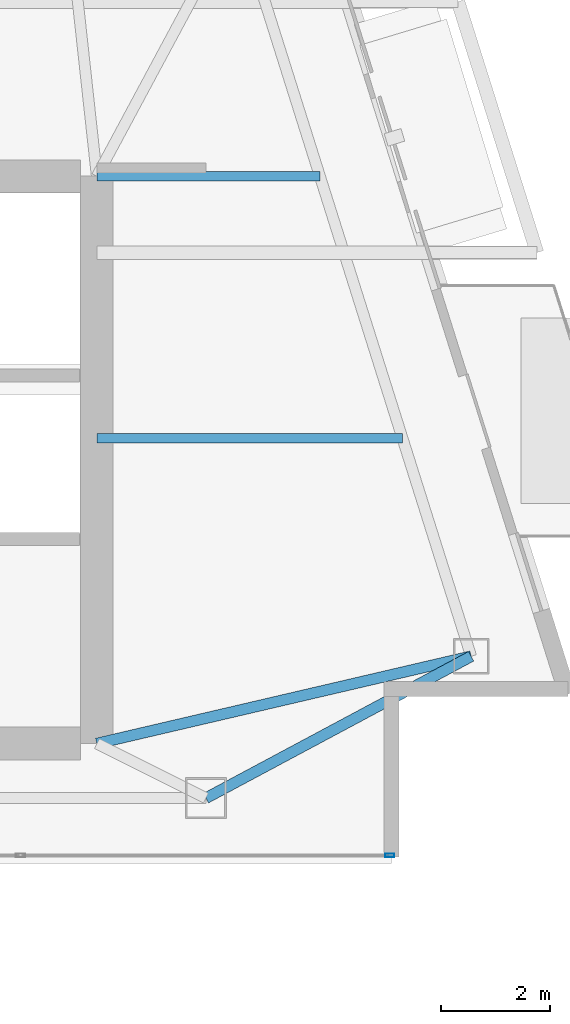
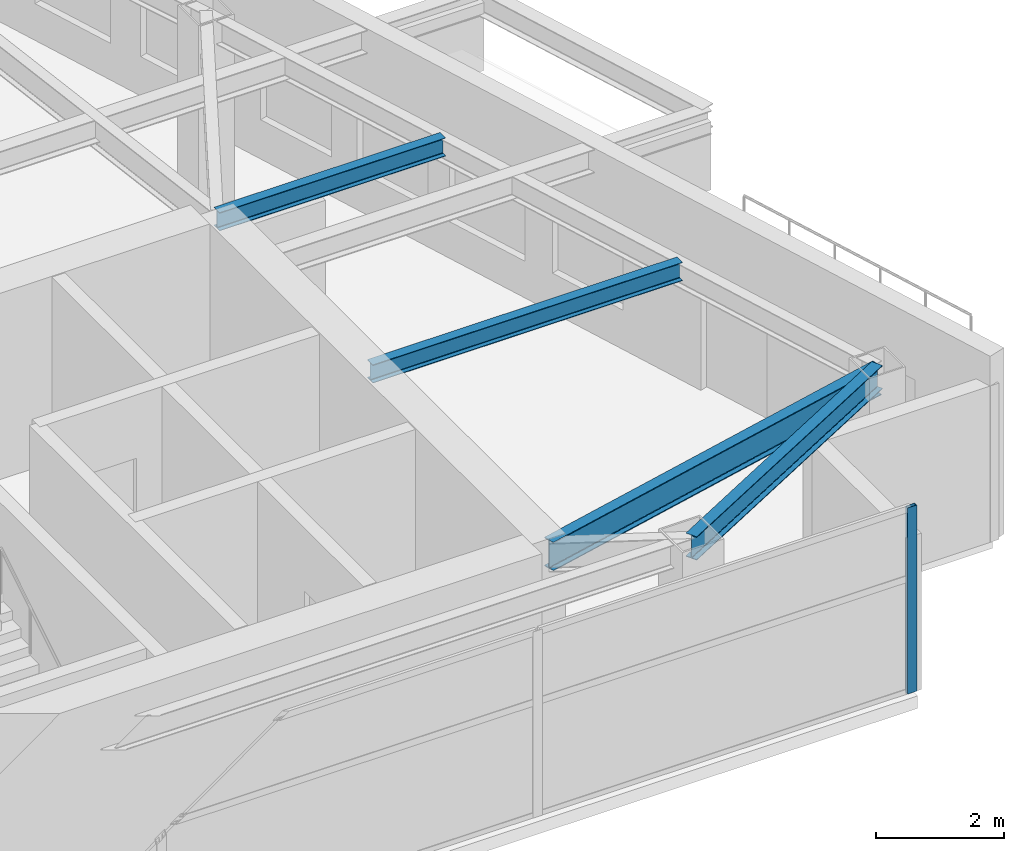
# One storey, part 14 of 27: 4 beams, 1 member, 1 element without a shape of its own.
"""IFC4 building model written with IfcOpenShell, lengths in metres."""

from ifc_helpers import new_model, si_unit, direction, frame, origin, origin_2d, place, context, subcontext, project, spatial, hollow_rectangle, i_section, extrude, material, layer, layer_set, material_profile, profile_set, type_object, element, aggregate, save


model = new_model("IFC4")

# Units and contexts
model_context = context("Model", 3, precision=1e-05, world=origin(), true_north=direction((0.0, 1.0)))
body_context = subcontext(model_context, "Body", "Model", "MODEL_VIEW")
ifc_project = project(units=[si_unit("LENGTHUNIT", "METRE"), si_unit("AREAUNIT", "SQUARE_METRE"), si_unit("VOLUMEUNIT", "CUBIC_METRE"), si_unit("PLANEANGLEUNIT", "RADIAN"), si_unit("MASSUNIT", "GRAM", prefix="KILO")], contexts=[model_context])

# Site, building, storey
site_placement = place(None, origin())
site = spatial("IfcSite", under=ifc_project, at=site_placement, CompositionType="ELEMENT")
building_placement = place(site_placement, origin())
building = spatial("IfcBuilding", under=site, at=building_placement, Name="Calvorn Quay Hotel", CompositionType="ELEMENT")
storey_placement = place(building_placement, frame((0.0, 0.0, 291.10009765625)))
storey = spatial("IfcBuildingStorey", under=building, at=storey_placement, Name="L72", CompositionType="ELEMENT", Elevation=291.10009765625)

# Beams
ifc_material_1 = material(Name="Steel Q355B", Category="steel")
ifc_material_profile_1 = material_profile(ifc_material_1, i_section(OverallWidth=0.199951171875, OverallDepth=0.550048828125, WebThickness=0.010009765625, FlangeThickness=0.01611328125, FilletRadius=0.01806640625, at=origin_2d()), Name="HN550x200x10x16")
ifc_profile_set_1 = profile_set([ifc_material_profile_1], Name="Steel Q355B")
beam_type_1 = type_object("IfcBeamType", Name="BM-GIRD-UPP", PredefinedType="BEAM", material=ifc_profile_set_1)
beam_1_placement = place(storey_placement, frame((32.39990234375, 4.60009765625, 3.264892578125), z_axis=(0.973874684416, 0.227086104935, 0.0), x_axis=(-0.227086104935, 0.973874684416, 0.0)))
element("IfcBeam", 1, at=beam_1_placement, inside=storey, type_object=beam_type_1, Name="Beam BG-L72-E1", PredefinedType="BEAM", context=body_context, shape_type="SweptSolid", body=[
    extrude(i_section(OverallWidth=0.199951171875, OverallDepth=0.550048828125, WebThickness=0.010009765625, FlangeThickness=0.01611328125, FilletRadius=0.01806640625, at=origin_2d()), origin(), (0.0, 0.0, 1.0), 7.045166015625),
])
ifc_material_2 = material(Name="Steel Q355B", Category="steel")
ifc_material_profile_2 = material_profile(ifc_material_2, i_section(OverallWidth=0.175048828125, OverallDepth=0.35009765625, WebThickness=0.007080078125, FlangeThickness=0.010986328125, FilletRadius=0.013916015625, at=origin_2d()), Name="HN350x175x7x11")
ifc_profile_set_2 = profile_set([ifc_material_profile_2], Name="Steel Q355B")
beam_type_2 = type_object("IfcBeamType", Name="BM-JOIST-SEC", PredefinedType="JOIST", material=ifc_profile_set_2)
beam_2_placement = place(storey_placement, frame((32.39990234375, 10.199951171875, 3.364990234375), z_axis=(1.0, 0.0, 0.0), x_axis=(0.0, 1.0, 0.0)))
element("IfcBeam", 2, at=beam_2_placement, inside=storey, type_object=beam_type_2, Name="Beam BJ-L72-E1", PredefinedType="JOIST", context=body_context, shape_type="SweptSolid", body=[
    extrude(i_section(OverallWidth=0.175048828125, OverallDepth=0.35009765625, WebThickness=0.007080078125, FlangeThickness=0.010986328125, FilletRadius=0.013916015625, at=origin_2d()), origin(), (0.0, 0.0, 1.0), 5.60107421875),
])
beam_3_placement = place(storey_placement, frame((32.39990234375, 15.0, 3.364990234375), z_axis=(1.0, 0.0, 0.0), x_axis=(0.0, 1.0, 0.0)))
element("IfcBeam", 3, at=beam_3_placement, inside=storey, type_object=beam_type_2, Name="Beam BJ-L72-E2", PredefinedType="JOIST", context=body_context, shape_type="SweptSolid", body=[
    extrude(i_section(OverallWidth=0.175048828125, OverallDepth=0.35009765625, WebThickness=0.007080078125, FlangeThickness=0.010986328125, FilletRadius=0.013916015625, at=origin_2d()), origin(), (0.0, 0.0, 1.0), 4.088134765625),
])
ifc_material_3 = material(Name="Steel Q355B", Category="steel")
ifc_material_profile_3 = material_profile(ifc_material_3, i_section(OverallWidth=0.199951171875, OverallDepth=0.449951171875, WebThickness=0.009033203125, FlangeThickness=0.013916015625, FilletRadius=0.01611328125, at=origin_2d()), Name="HN450x200x9x14")
ifc_profile_set_3 = profile_set([ifc_material_profile_3], Name="Steel Q355B")
beam_type_3 = type_object("IfcBeamType", Name="BM-SPANDREL-Z3", PredefinedType="SPANDREL", material=ifc_profile_set_3)
beam_4_placement = place(storey_placement, frame((34.39990234375, 3.60009765625, 3.31494140625), z_axis=(0.881804345101, 0.471615412133, 0.0), x_axis=(-0.471615412133, 0.881804345101, 0.0)))
element("IfcBeam", 4, at=beam_4_placement, inside=storey, type_object=beam_type_3, Name="Beam BSP-L72-S4", PredefinedType="SPANDREL", context=body_context, shape_type="SweptSolid", body=[
    extrude(i_section(OverallWidth=0.199951171875, OverallDepth=0.449951171875, WebThickness=0.009033203125, FlangeThickness=0.013916015625, FilletRadius=0.01611328125, at=origin_2d()), origin(), (0.0, 0.0, 1.0), 5.5126953125),
])

# Curtain wall, member
ifc_material_4 = material(Name="Champagne Bronze Anodised Aluminium and Low-E Glass", Category="aluminium")
ifc_layer = layer(ifc_material_4, 0.219970703125)
ifc_layer_set = layer_set([ifc_layer], Name="CW-SYS-Z4")
curtain_wall_type = type_object("IfcCurtainWallType", Name="CW-SYS-Z4", PredefinedType="NOTDEFINED", material=ifc_layer_set)
curtain_wall_placement = place(storey_placement, origin())
curtain_wall = element("IfcCurtainWall", 5, at=curtain_wall_placement, inside=storey, type_object=curtain_wall_type, Name="Tower South Waterfront Curtain Wall (L72)", PredefinedType="NOTDEFINED")
ifc_material_5 = material(Name="Champagne Bronze Anodised Aluminium 6063-T6", Category="aluminium")
ifc_material_profile_4 = material_profile(ifc_material_5, hollow_rectangle(XDim=0.06494140625, YDim=0.169921875, WallThickness=0.00341796875, at=origin_2d()), Name="ALU-M170x65x3.5")
ifc_profile_set_4 = profile_set([ifc_material_profile_4], Name="Champagne Bronze Anodised Aluminium 6063-T6")
member_type = type_object("IfcMemberType", Name="CW-SYS-Z4-MUL", PredefinedType="MULLION", material=ifc_profile_set_4)
member_placement = place(storey_placement, frame((37.77001953125, 2.550048828125, 0.0), z_axis=(0.0, 0.0, 1.0), x_axis=(0.0, 1.0, 0.0)))
member = element("IfcMember", 6, at=member_placement, type_object=member_type, Name="CW-L72-S mullion 5", PredefinedType="MULLION", context=body_context, shape_type="SweptSolid", body=[
    extrude(hollow_rectangle(XDim=0.06494140625, YDim=0.169921875, WallThickness=0.00341796875, at=origin_2d()), origin(), (0.0, 0.0, 1.0), 3.559814453125),
])
aggregate(curtain_wall, [member])

save(model, "model.ifc")
